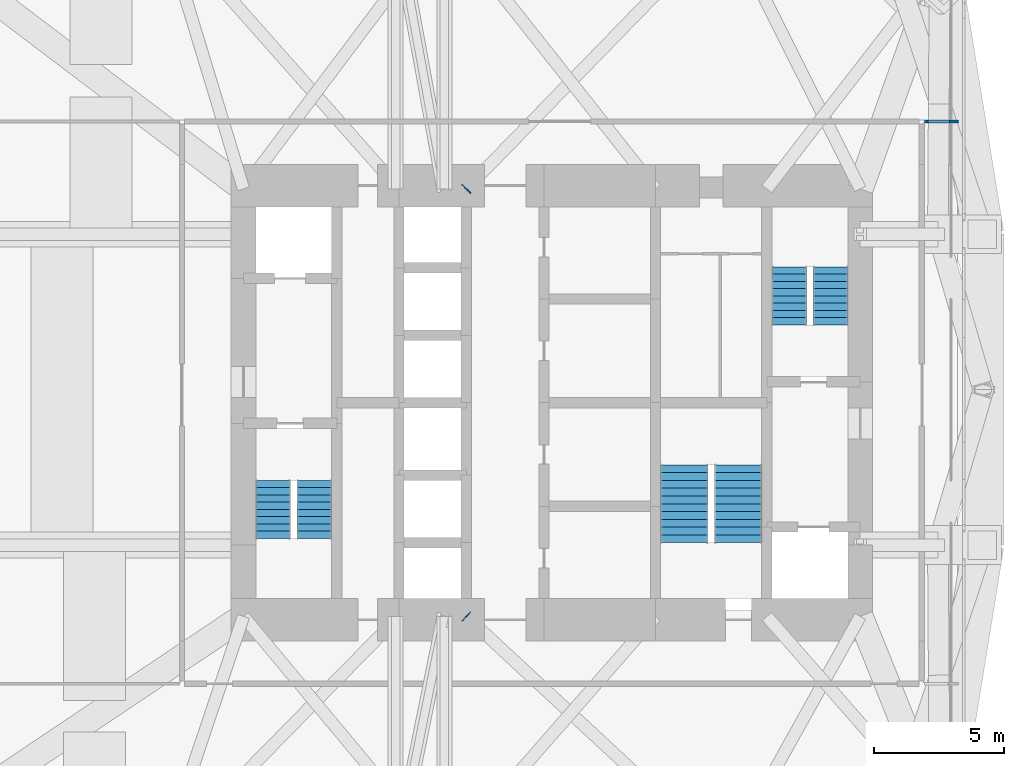
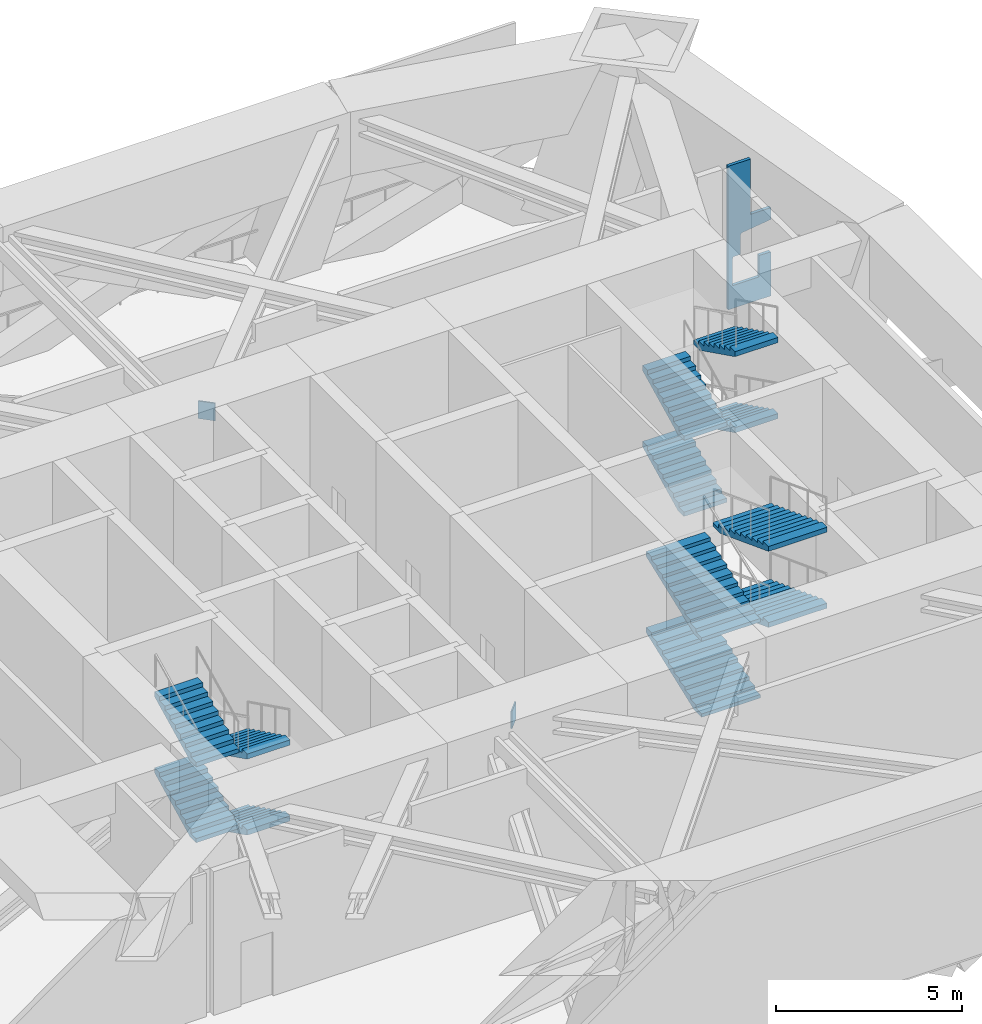
# One storey, part 6 of 8: 12 stair flights, 2 discrete accessories, 1 wall, 3 elements without a shape of their own.
"""IFC4 building model written with IfcOpenShell, lengths in metres."""

from ifc_helpers import new_model, si_unit, direction, frame, origin, origin_2d, place, context, subcontext, project, spatial, polyline, rectangle, outline, extrude, material, constituent, constituent_set, material_profile, profile_set, type_object, element, aggregate, save


model = new_model("IFC4")

# Units and contexts
model_context = context("Model", 3, precision=1e-05, world=origin(), true_north=direction((0.0, 1.0)))
body_context = subcontext(model_context, "Body", "Model", "MODEL_VIEW")
ifc_project = project(units=[si_unit("LENGTHUNIT", "METRE"), si_unit("AREAUNIT", "SQUARE_METRE"), si_unit("VOLUMEUNIT", "CUBIC_METRE"), si_unit("PLANEANGLEUNIT", "RADIAN"), si_unit("MASSUNIT", "GRAM", prefix="KILO")], contexts=[model_context])

# Site, building, storey
site_placement = place(None, origin())
site = spatial("IfcSite", under=ifc_project, at=site_placement, CompositionType="ELEMENT")
building_placement = place(site_placement, origin())
building = spatial("IfcBuilding", under=site, at=building_placement, Name="Jalousie Tower", CompositionType="ELEMENT")
storey_placement = place(building_placement, frame((0.0, 0.0, 79.75)))
storey = spatial("IfcBuildingStorey", under=building, at=storey_placement, Name="L21", CompositionType="ELEMENT", Elevation=79.75)

# Wall
ifc_material_1 = material(Name="Gypsum board", Category="gypsum")
ifc_constituent_1 = constituent(ifc_material_1, Name="Body")
ifc_material_2 = material(Name="Light-gauge steel studs ASTM A653 SS Grade 33", Category="steel")
ifc_constituent_2 = constituent(ifc_material_2, Name="Framing")
ifc_constituent_set = constituent_set(constituents=[ifc_constituent_1, ifc_constituent_2])
wall_type = type_object("IfcWallType", Name="PARTITION 100", PredefinedType="PARTITIONING", material=ifc_constituent_set)
wall_placement = place(storey_placement, frame((46.27490234375, 29.35009765625, 0.0), z_axis=(0.0, 0.0, 1.0), x_axis=(1.0, 0.0, 0.0)))
element("IfcWall", 1, at=wall_placement, inside=storey, type_object=wall_type, Name="Partition 100 L21", PredefinedType="PARTITIONING", context=body_context, shape_type="SweptSolid", body=[
    extrude(outline(polyline([(0.698486328125, 4.719970703125), (0.0, 4.719970703125), (0.0, 0.0), (1.324951171875, 0.0), (1.324951171875, 1.45166015625), (0.964111328125, 1.45166015625), (0.964111328125, 0.806396484375), (0.96337890625, 0.751220703125), (0.143310546875, 0.748779296875), (0.143310546875, 1.63720703125), (0.144287109375, 1.6923828125), (0.387451171875, 1.693115234375), (0.387451171875, 2.33740234375), (0.425048828125, 2.388671875), (1.283203125, 2.504638671875), (1.324951171875, 2.504638671875), (1.324951171875, 2.89990234375), (0.698486328125, 2.89990234375), (0.698486328125, 4.719970703125)])), frame((0.0, 0.050048828125, 0.0), z_axis=(0.0, -1.0, 0.0), x_axis=(1.0, 0.0, 0.0)), (0.0, 0.0, 1.0), 0.10009765625),
])

# Stair, stair flights
ifc_material_3 = material(Name="Concrete f'c 40 MPa", Category="concrete")
stair_type = type_object("IfcStairType", Name="EXIT STAIR", PredefinedType="HALF_TURN_STAIR", material=ifc_material_3)
stair_1_placement = place(storey_placement, origin())
stair_1 = element("IfcStair", 2, at=stair_1_placement, inside=storey, type_object=stair_type, Name="Exit stair A L21", PredefinedType="HALF_TURN_STAIR")
ifc_material_4 = material(Name="Concrete f'c 40 MPa", Category="concrete")
stair_flight_type = type_object("IfcStairFlightType", Name="STAIR FLIGHT", PredefinedType="STRAIGHT", material=ifc_material_4)
stair_flight_1_placement = place(storey_placement, frame((22.731201171875, 15.49755859375, 0.0), z_axis=(0.0, 0.0, 1.0), x_axis=(0.0, -1.0, 0.0)))
stair_flight_1 = element("IfcStairFlight", 3, at=stair_flight_1_placement, type_object=stair_flight_type, Name="ST-A flight 1", NumberOfRisers=9, NumberOfTreads=8, PredefinedType="STRAIGHT", RiserHeight=0.138888889, TreadLength=0.28, context=body_context, shape_type="SweptSolid", body=[
    extrude(outline(polyline([(0.0, 0.0), (0.0, 0.138916015625), (0.280029296875, 0.138916015625), (0.280029296875, 0.27783203125), (0.56005859375, 0.27783203125), (0.56005859375, 0.416748046875), (0.840087890625, 0.416748046875), (0.840087890625, 0.5556640625), (1.1201171875, 0.5556640625), (1.1201171875, 0.6943359375), (1.39990234375, 0.6943359375), (1.39990234375, 0.833251953125), (1.679931640625, 0.833251953125), (1.679931640625, 0.97216796875), (1.9599609375, 0.97216796875), (1.9599609375, 1.111083984375), (2.239990234375, 1.111083984375), (2.239990234375, 1.25), (2.239990234375, 0.94384765625), (0.33740234375, 0.0), (0.0, 0.0)])), frame((0.0, 0.668701171875, 0.0), z_axis=(0.0, -1.0, 0.0), x_axis=(1.0, 0.0, 0.0)), (0.0, 0.0, 1.0), 1.33740234375),
])
stair_flight_2_placement = place(storey_placement, frame((21.143798828125, 13.257568359375, 1.25), z_axis=(0.0, 0.0, 1.0), x_axis=(0.0, 1.0, 0.0)))
stair_flight_2 = element("IfcStairFlight", 4, at=stair_flight_2_placement, type_object=stair_flight_type, Name="ST-A flight 2", NumberOfRisers=9, NumberOfTreads=8, PredefinedType="STRAIGHT", RiserHeight=0.138888889, TreadLength=0.28, context=body_context, shape_type="SweptSolid", body=[
    extrude(outline(polyline([(0.0, 0.0), (0.0, 0.138916015625), (0.280029296875, 0.138916015625), (0.280029296875, 0.27783203125), (0.56005859375, 0.27783203125), (0.56005859375, 0.416748046875), (0.840087890625, 0.416748046875), (0.840087890625, 0.5556640625), (1.1201171875, 0.5556640625), (1.1201171875, 0.6943359375), (1.39990234375, 0.6943359375), (1.39990234375, 0.833251953125), (1.679931640625, 0.833251953125), (1.679931640625, 0.97216796875), (1.9599609375, 0.97216796875), (1.9599609375, 1.111083984375), (2.239990234375, 1.111083984375), (2.239990234375, 1.25), (2.239990234375, 0.94384765625), (0.33740234375, 0.0), (0.0, 0.0)])), frame((0.0, 0.668701171875, 0.0), z_axis=(0.0, -1.0, 0.0), x_axis=(1.0, 0.0, 0.0)), (0.0, 0.0, 1.0), 1.33740234375),
])
stair_flight_3_placement = place(storey_placement, frame((22.731201171875, 15.49755859375, 2.5), z_axis=(0.0, 0.0, 1.0), x_axis=(0.0, -1.0, 0.0)))
stair_flight_3 = element("IfcStairFlight", 5, at=stair_flight_3_placement, type_object=stair_flight_type, Name="ST-A flight 3", NumberOfRisers=9, NumberOfTreads=8, PredefinedType="STRAIGHT", RiserHeight=0.138888889, TreadLength=0.28, context=body_context, shape_type="SweptSolid", body=[
    extrude(outline(polyline([(0.0, 0.0), (0.0, 0.138916015625), (0.280029296875, 0.138916015625), (0.280029296875, 0.27783203125), (0.56005859375, 0.27783203125), (0.56005859375, 0.416748046875), (0.840087890625, 0.416748046875), (0.840087890625, 0.5556640625), (1.1201171875, 0.5556640625), (1.1201171875, 0.6943359375), (1.39990234375, 0.6943359375), (1.39990234375, 0.833251953125), (1.679931640625, 0.833251953125), (1.679931640625, 0.97216796875), (1.9599609375, 0.97216796875), (1.9599609375, 1.111083984375), (2.239990234375, 1.111083984375), (2.239990234375, 1.25), (2.239990234375, 0.94384765625), (0.33740234375, 0.0), (0.0, 0.0)])), frame((0.0, 0.668701171875, 0.0), z_axis=(0.0, -1.0, 0.0), x_axis=(1.0, 0.0, 0.0)), (0.0, 0.0, 1.0), 1.33740234375),
])
stair_flight_4_placement = place(storey_placement, frame((21.143798828125, 13.257568359375, 3.75), z_axis=(0.0, 0.0, 1.0), x_axis=(0.0, 1.0, 0.0)))
stair_flight_4 = element("IfcStairFlight", 6, at=stair_flight_4_placement, type_object=stair_flight_type, Name="ST-A flight 4", NumberOfRisers=9, NumberOfTreads=8, PredefinedType="STRAIGHT", RiserHeight=0.138888889, TreadLength=0.28, context=body_context, shape_type="SweptSolid", body=[
    extrude(outline(polyline([(0.0, 0.0), (0.0, 0.138916015625), (0.280029296875, 0.138916015625), (0.280029296875, 0.27783203125), (0.56005859375, 0.27783203125), (0.56005859375, 0.416748046875), (0.840087890625, 0.416748046875), (0.840087890625, 0.5556640625), (1.1201171875, 0.5556640625), (1.1201171875, 0.6943359375), (1.39990234375, 0.6943359375), (1.39990234375, 0.833251953125), (1.679931640625, 0.833251953125), (1.679931640625, 0.97216796875), (1.9599609375, 0.97216796875), (1.9599609375, 1.111083984375), (2.239990234375, 1.111083984375), (2.239990234375, 1.25), (2.239990234375, 0.94384765625), (0.33740234375, 0.0), (0.0, 0.0)])), frame((0.0, 0.668701171875, 0.0), z_axis=(0.0, -1.0, 0.0), x_axis=(1.0, 0.0, 0.0)), (0.0, 0.0, 1.0), 1.33740234375),
])
aggregate(stair_1, [stair_flight_1, stair_flight_2, stair_flight_3, stair_flight_4])

stair_2_placement = place(storey_placement, origin())
stair_2 = element("IfcStair", 7, at=stair_2_placement, inside=storey, type_object=stair_type, Name="Exit stair B L21", PredefinedType="HALF_TURN_STAIR")
stair_flight_5_placement = place(storey_placement, frame((41.06884765625, 21.50244140625, 0.0), z_axis=(0.0, 0.0, 1.0), x_axis=(0.0, 1.0, 0.0)))
stair_flight_5 = element("IfcStairFlight", 8, at=stair_flight_5_placement, type_object=stair_flight_type, Name="ST-B flight 1", NumberOfRisers=9, NumberOfTreads=8, PredefinedType="STRAIGHT", RiserHeight=0.138888889, TreadLength=0.28, context=body_context, shape_type="SweptSolid", body=[
    extrude(outline(polyline([(0.0, 0.0), (0.0, 0.138916015625), (0.280029296875, 0.138916015625), (0.280029296875, 0.27783203125), (0.56005859375, 0.27783203125), (0.56005859375, 0.416748046875), (0.840087890625, 0.416748046875), (0.840087890625, 0.5556640625), (1.1201171875, 0.5556640625), (1.1201171875, 0.6943359375), (1.39990234375, 0.6943359375), (1.39990234375, 0.833251953125), (1.679931640625, 0.833251953125), (1.679931640625, 0.97216796875), (1.9599609375, 0.97216796875), (1.9599609375, 1.111083984375), (2.239990234375, 1.111083984375), (2.239990234375, 1.25), (2.239990234375, 0.94384765625), (0.33740234375, 0.0), (0.0, 0.0)])), frame((0.0, 0.668701171875, 0.0), z_axis=(0.0, -1.0, 0.0), x_axis=(1.0, 0.0, 0.0)), (0.0, 0.0, 1.0), 1.33740234375),
])
stair_flight_6_placement = place(storey_placement, frame((42.65625, 23.742431640625, 1.25), z_axis=(0.0, 0.0, 1.0), x_axis=(0.0, -1.0, 0.0)))
stair_flight_6 = element("IfcStairFlight", 9, at=stair_flight_6_placement, type_object=stair_flight_type, Name="ST-B flight 2", NumberOfRisers=9, NumberOfTreads=8, PredefinedType="STRAIGHT", RiserHeight=0.138888889, TreadLength=0.28, context=body_context, shape_type="SweptSolid", body=[
    extrude(outline(polyline([(0.0, 0.0), (0.0, 0.138916015625), (0.280029296875, 0.138916015625), (0.280029296875, 0.27783203125), (0.56005859375, 0.27783203125), (0.56005859375, 0.416748046875), (0.840087890625, 0.416748046875), (0.840087890625, 0.5556640625), (1.1201171875, 0.5556640625), (1.1201171875, 0.6943359375), (1.39990234375, 0.6943359375), (1.39990234375, 0.833251953125), (1.679931640625, 0.833251953125), (1.679931640625, 0.97216796875), (1.9599609375, 0.97216796875), (1.9599609375, 1.111083984375), (2.239990234375, 1.111083984375), (2.239990234375, 1.25), (2.239990234375, 0.94384765625), (0.33740234375, 0.0), (0.0, 0.0)])), frame((0.0, 0.668701171875, 0.0), z_axis=(0.0, -1.0, 0.0), x_axis=(1.0, 0.0, 0.0)), (0.0, 0.0, 1.0), 1.33740234375),
])
stair_flight_7_placement = place(storey_placement, frame((41.06884765625, 21.50244140625, 2.5), z_axis=(0.0, 0.0, 1.0), x_axis=(0.0, 1.0, 0.0)))
stair_flight_7 = element("IfcStairFlight", 10, at=stair_flight_7_placement, type_object=stair_flight_type, Name="ST-B flight 3", NumberOfRisers=9, NumberOfTreads=8, PredefinedType="STRAIGHT", RiserHeight=0.138888889, TreadLength=0.28, context=body_context, shape_type="SweptSolid", body=[
    extrude(outline(polyline([(0.0, 0.0), (0.0, 0.138916015625), (0.280029296875, 0.138916015625), (0.280029296875, 0.27783203125), (0.56005859375, 0.27783203125), (0.56005859375, 0.416748046875), (0.840087890625, 0.416748046875), (0.840087890625, 0.5556640625), (1.1201171875, 0.5556640625), (1.1201171875, 0.6943359375), (1.39990234375, 0.6943359375), (1.39990234375, 0.833251953125), (1.679931640625, 0.833251953125), (1.679931640625, 0.97216796875), (1.9599609375, 0.97216796875), (1.9599609375, 1.111083984375), (2.239990234375, 1.111083984375), (2.239990234375, 1.25), (2.239990234375, 0.94384765625), (0.33740234375, 0.0), (0.0, 0.0)])), frame((0.0, 0.668701171875, 0.0), z_axis=(0.0, -1.0, 0.0), x_axis=(1.0, 0.0, 0.0)), (0.0, 0.0, 1.0), 1.33740234375),
])
stair_flight_8_placement = place(storey_placement, frame((42.65625, 23.742431640625, 3.75), z_axis=(0.0, 0.0, 1.0), x_axis=(0.0, -1.0, 0.0)))
stair_flight_8 = element("IfcStairFlight", 11, at=stair_flight_8_placement, type_object=stair_flight_type, Name="ST-B flight 4", NumberOfRisers=9, NumberOfTreads=8, PredefinedType="STRAIGHT", RiserHeight=0.138888889, TreadLength=0.28, context=body_context, shape_type="SweptSolid", body=[
    extrude(outline(polyline([(0.0, 0.0), (0.0, 0.138916015625), (0.280029296875, 0.138916015625), (0.280029296875, 0.27783203125), (0.56005859375, 0.27783203125), (0.56005859375, 0.416748046875), (0.840087890625, 0.416748046875), (0.840087890625, 0.5556640625), (1.1201171875, 0.5556640625), (1.1201171875, 0.6943359375), (1.39990234375, 0.6943359375), (1.39990234375, 0.833251953125), (1.679931640625, 0.833251953125), (1.679931640625, 0.97216796875), (1.9599609375, 0.97216796875), (1.9599609375, 1.111083984375), (2.239990234375, 1.111083984375), (2.239990234375, 1.25), (2.239990234375, 0.94384765625), (0.33740234375, 0.0), (0.0, 0.0)])), frame((0.0, 0.668701171875, 0.0), z_axis=(0.0, -1.0, 0.0), x_axis=(1.0, 0.0, 0.0)), (0.0, 0.0, 1.0), 1.33740234375),
])
aggregate(stair_2, [stair_flight_5, stair_flight_6, stair_flight_7, stair_flight_8])

stair_3_placement = place(storey_placement, origin())
stair_3 = element("IfcStair", 12, at=stair_3_placement, inside=storey, type_object=stair_type, Name="Exit stair C L21", PredefinedType="HALF_TURN_STAIR")
stair_flight_9_placement = place(storey_placement, frame((37.012451171875, 13.097412109375, 0.0), z_axis=(0.0, 0.0, 1.0), x_axis=(0.0, 1.0, 0.0)))
stair_flight_9 = element("IfcStairFlight", 13, at=stair_flight_9_placement, type_object=stair_flight_type, Name="ST-C flight 1", NumberOfRisers=11, NumberOfTreads=10, PredefinedType="STRAIGHT", RiserHeight=0.113636364, TreadLength=0.3, context=body_context, shape_type="SweptSolid", body=[
    extrude(outline(polyline([(0.0, 0.0), (0.0, 0.113525390625), (0.300048828125, 0.113525390625), (0.300048828125, 0.227294921875), (0.60009765625, 0.227294921875), (0.60009765625, 0.3408203125), (0.89990234375, 0.3408203125), (0.89990234375, 0.45458984375), (1.199951171875, 0.45458984375), (1.199951171875, 0.568115234375), (1.5, 0.568115234375), (1.5, 0.681884765625), (1.800048828125, 0.681884765625), (1.800048828125, 0.79541015625), (2.10009765625, 0.79541015625), (2.10009765625, 0.9091796875), (2.39990234375, 0.9091796875), (2.39990234375, 1.022705078125), (2.699951171875, 1.022705078125), (2.699951171875, 1.136474609375), (3.0, 1.136474609375), (3.0, 1.25), (3.0, 0.97607421875), (0.423095703125, 0.0), (0.0, 0.0)])), frame((0.0, 0.91259765625, 0.0), z_axis=(0.0, -1.0, 0.0), x_axis=(1.0, 0.0, 0.0)), (0.0, 0.0, 1.0), 1.824951171875),
])
stair_flight_10_placement = place(storey_placement, frame((39.08740234375, 16.097412109375, 1.25), z_axis=(0.0, 0.0, 1.0), x_axis=(0.0, -1.0, 0.0)))
stair_flight_10 = element("IfcStairFlight", 14, at=stair_flight_10_placement, type_object=stair_flight_type, Name="ST-C flight 2", NumberOfRisers=11, NumberOfTreads=10, PredefinedType="STRAIGHT", RiserHeight=0.113636364, TreadLength=0.3, context=body_context, shape_type="SweptSolid", body=[
    extrude(outline(polyline([(0.0, 0.0), (0.0, 0.113525390625), (0.300048828125, 0.113525390625), (0.300048828125, 0.227294921875), (0.60009765625, 0.227294921875), (0.60009765625, 0.3408203125), (0.89990234375, 0.3408203125), (0.89990234375, 0.45458984375), (1.199951171875, 0.45458984375), (1.199951171875, 0.568115234375), (1.5, 0.568115234375), (1.5, 0.681884765625), (1.800048828125, 0.681884765625), (1.800048828125, 0.79541015625), (2.10009765625, 0.79541015625), (2.10009765625, 0.9091796875), (2.39990234375, 0.9091796875), (2.39990234375, 1.022705078125), (2.699951171875, 1.022705078125), (2.699951171875, 1.136474609375), (3.0, 1.136474609375), (3.0, 1.25), (3.0, 0.97607421875), (0.423095703125, 0.0), (0.0, 0.0)])), frame((0.0, 0.91259765625, 0.0), z_axis=(0.0, -1.0, 0.0), x_axis=(1.0, 0.0, 0.0)), (0.0, 0.0, 1.0), 1.824951171875),
])
stair_flight_11_placement = place(storey_placement, frame((37.012451171875, 13.097412109375, 2.5), z_axis=(0.0, 0.0, 1.0), x_axis=(0.0, 1.0, 0.0)))
stair_flight_11 = element("IfcStairFlight", 15, at=stair_flight_11_placement, type_object=stair_flight_type, Name="ST-C flight 3", NumberOfRisers=11, NumberOfTreads=10, PredefinedType="STRAIGHT", RiserHeight=0.113636364, TreadLength=0.3, context=body_context, shape_type="SweptSolid", body=[
    extrude(outline(polyline([(0.0, 0.0), (0.0, 0.113525390625), (0.300048828125, 0.113525390625), (0.300048828125, 0.227294921875), (0.60009765625, 0.227294921875), (0.60009765625, 0.3408203125), (0.89990234375, 0.3408203125), (0.89990234375, 0.45458984375), (1.199951171875, 0.45458984375), (1.199951171875, 0.568115234375), (1.5, 0.568115234375), (1.5, 0.681884765625), (1.800048828125, 0.681884765625), (1.800048828125, 0.79541015625), (2.10009765625, 0.79541015625), (2.10009765625, 0.9091796875), (2.39990234375, 0.9091796875), (2.39990234375, 1.022705078125), (2.699951171875, 1.022705078125), (2.699951171875, 1.136474609375), (3.0, 1.136474609375), (3.0, 1.25), (3.0, 0.97607421875), (0.423095703125, 0.0), (0.0, 0.0)])), frame((0.0, 0.91259765625, 0.0), z_axis=(0.0, -1.0, 0.0), x_axis=(1.0, 0.0, 0.0)), (0.0, 0.0, 1.0), 1.824951171875),
])
stair_flight_12_placement = place(storey_placement, frame((39.08740234375, 16.097412109375, 3.75), z_axis=(0.0, 0.0, 1.0), x_axis=(0.0, -1.0, 0.0)))
stair_flight_12 = element("IfcStairFlight", 16, at=stair_flight_12_placement, type_object=stair_flight_type, Name="ST-C flight 4", NumberOfRisers=11, NumberOfTreads=10, PredefinedType="STRAIGHT", RiserHeight=0.113636364, TreadLength=0.3, context=body_context, shape_type="SweptSolid", body=[
    extrude(outline(polyline([(0.0, 0.0), (0.0, 0.113525390625), (0.300048828125, 0.113525390625), (0.300048828125, 0.227294921875), (0.60009765625, 0.227294921875), (0.60009765625, 0.3408203125), (0.89990234375, 0.3408203125), (0.89990234375, 0.45458984375), (1.199951171875, 0.45458984375), (1.199951171875, 0.568115234375), (1.5, 0.568115234375), (1.5, 0.681884765625), (1.800048828125, 0.681884765625), (1.800048828125, 0.79541015625), (2.10009765625, 0.79541015625), (2.10009765625, 0.9091796875), (2.39990234375, 0.9091796875), (2.39990234375, 1.022705078125), (2.699951171875, 1.022705078125), (2.699951171875, 1.136474609375), (3.0, 1.136474609375), (3.0, 1.25), (3.0, 0.97607421875), (0.423095703125, 0.0), (0.0, 0.0)])), frame((0.0, 0.91259765625, 0.0), z_axis=(0.0, -1.0, 0.0), x_axis=(1.0, 0.0, 0.0)), (0.0, 0.0, 1.0), 1.824951171875),
])
aggregate(stair_3, [stair_flight_9, stair_flight_10, stair_flight_11, stair_flight_12])

# Discrete accessories
ifc_material_5 = material(Name="Steel ASTM A572 Grade 50 plate", Category="steel")
ifc_material_profile = material_profile(ifc_material_5, rectangle(XDim=0.472412109375, YDim=0.5791015625, at=origin_2d()), Name="BRACE END PLATE 472x579x40")
ifc_profile_set = profile_set([ifc_material_profile], Name="Steel ASTM A572 Grade 50 plate")
discrete_accessory_type = type_object("IfcDiscreteAccessoryType", Name="BRACE END PLATE 472x579x40", PredefinedType="USERDEFINED", material=ifc_profile_set)
discrete_accessory_1_placement = place(storey_placement, frame((28.61474609375, 10.236328125, 4.430419921875), z_axis=(-0.733872648231, 0.679287079355, 0.0), x_axis=(-0.679287079355, -0.733872648231, 0.0)))
element("IfcDiscreteAccessory", 17, at=discrete_accessory_1_placement, inside=storey, type_object=discrete_accessory_type, Name="Kink floor truss L22 04 diagonal end plate 2", ObjectType="STRUT END PLATE", PredefinedType="USERDEFINED", context=body_context, shape_type="SweptSolid", body=[
    extrude(rectangle(XDim=0.472412109375, YDim=0.5791015625, at=origin_2d()), origin(), (0.0, 0.0, 1.0), 0.040283203125),
])
discrete_accessory_2_placement = place(storey_placement, frame((28.614013671875, 26.764404296875, 4.430419921875), z_axis=(-0.694812020929, -0.719191390085, 0.0), x_axis=(0.719191390085, -0.694812020929, 0.0)))
element("IfcDiscreteAccessory", 18, at=discrete_accessory_2_placement, inside=storey, type_object=discrete_accessory_type, Name="Kink floor truss L22 09 diagonal end plate 2", ObjectType="STRUT END PLATE", PredefinedType="USERDEFINED", context=body_context, shape_type="SweptSolid", body=[
    extrude(rectangle(XDim=0.472412109375, YDim=0.5791015625, at=origin_2d()), origin(), (0.0, 0.0, 1.0), 0.0400390625),
])

save(model, "model.ifc")
